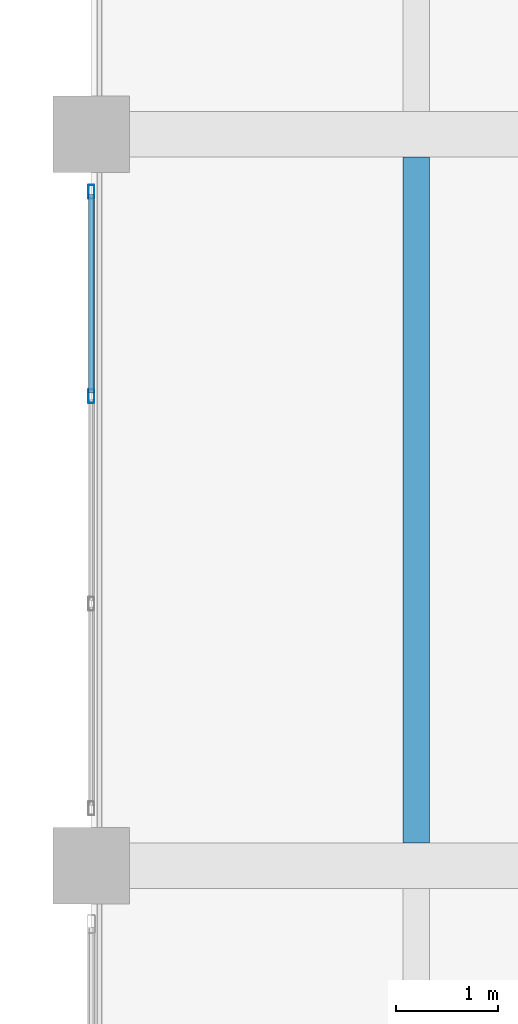
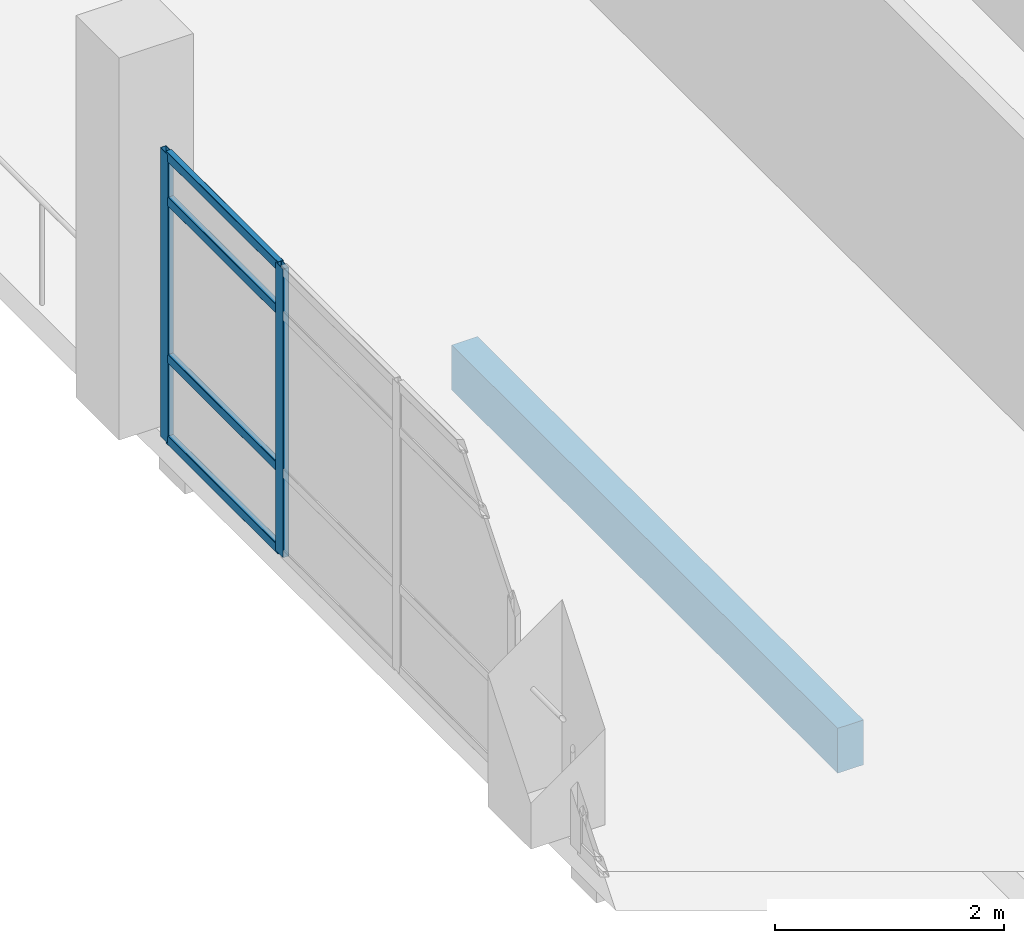
# One storey, part 106 of 180: 6 members, 1 beam, 1 element without a shape of its own.
"""IFC4 building model written with IfcOpenShell, lengths in metres."""

from ifc_helpers import new_model, si_unit, direction, frame, origin, origin_2d, place, context, subcontext, project, spatial, rectangle, hollow_rectangle, extrude, material, layer, layer_set, material_profile, profile_set, type_object, element, aggregate, save


model = new_model("IFC4")

# Units and contexts
model_context = context("Model", 3, precision=1e-05, world=origin(), true_north=direction((0.0, 1.0)))
body_context = subcontext(model_context, "Body", "Model", "MODEL_VIEW")
ifc_project = project(units=[si_unit("LENGTHUNIT", "METRE"), si_unit("AREAUNIT", "SQUARE_METRE"), si_unit("VOLUMEUNIT", "CUBIC_METRE"), si_unit("PLANEANGLEUNIT", "RADIAN"), si_unit("MASSUNIT", "GRAM", prefix="KILO")], contexts=[model_context])

# Site, building, storey
site_placement = place(None, origin())
site = spatial("IfcSite", under=ifc_project, at=site_placement, CompositionType="ELEMENT")
building_placement = place(site_placement, origin())
building = spatial("IfcBuilding", under=site, at=building_placement, Name="Asteropetra Specialist Clinic", CompositionType="ELEMENT")
storey_placement = place(building_placement, frame((0.0, 0.0, 4.419921875)))
storey = spatial("IfcBuildingStorey", under=building, at=storey_placement, Name="L01", CompositionType="ELEMENT", Elevation=4.419921875)

# Curtain wall, members
ifc_material_1 = material(Name="Aluminium and low-E glass", Category="aluminium")
ifc_layer = layer(ifc_material_1, 0.179931640625)
ifc_layer_set = layer_set([ifc_layer], Name="Aluminium and low-E glass")
curtain_wall_type = type_object("IfcCurtainWallType", Name="CW-SYS-07", PredefinedType="USERDEFINED", material=ifc_layer_set)
curtain_wall_placement = place(storey_placement, origin())
curtain_wall = element("IfcCurtainWall", 1, at=curtain_wall_placement, inside=storey, type_object=curtain_wall_type, Name="Curtain Wall CW-032", ObjectType="STICK GLAZED COLONNADE", PredefinedType="USERDEFINED")
ifc_material_2 = material(Name="Aluminium 6063-T6", Category="aluminium")
ifc_material_profile_1 = material_profile(ifc_material_2, hollow_rectangle(XDim=0.06005859375, YDim=0.135009765625, WallThickness=0.00341796875, InnerFilletRadius=0.00341796875, OuterFilletRadius=0.007080078125, at=origin_2d()), Name="MUL 135x60x3.5")
ifc_profile_set_1 = profile_set([ifc_material_profile_1], Name="Aluminium 6063-T6")
member_type_1 = type_object("IfcMemberType", Name="CWM-135x60", PredefinedType="MULLION", material=ifc_profile_set_1)
member_1_placement = place(storey_placement, frame((67.199951171875, 88.62158203125, 0.0), z_axis=(0.0, 0.0, 1.0), x_axis=(-1.0, 0.0, 0.0)))
member_1 = element("IfcMember", 2, at=member_1_placement, type_object=member_type_1, Name="CW-032 mullion 3", PredefinedType="MULLION", context=body_context, shape_type="SweptSolid", body=[
    extrude(hollow_rectangle(XDim=0.06005859375, YDim=0.135009765625, WallThickness=0.00341796875, InnerFilletRadius=0.00341796875, OuterFilletRadius=0.007080078125, at=origin_2d()), origin(), (0.0, 0.0, 1.0), 3.080078125),
])
member_2_placement = place(storey_placement, frame((67.199951171875, 90.635009765625, 0.0), z_axis=(0.0, 0.0, 1.0), x_axis=(-1.0, 0.0, 0.0)))
member_2 = element("IfcMember", 3, at=member_2_placement, type_object=member_type_1, Name="CW-032 mullion 4", PredefinedType="MULLION", context=body_context, shape_type="SweptSolid", body=[
    extrude(hollow_rectangle(XDim=0.06005859375, YDim=0.135009765625, WallThickness=0.00341796875, InnerFilletRadius=0.00341796875, OuterFilletRadius=0.007080078125, at=origin_2d()), origin(), (0.0, 0.0, 1.0), 3.080078125),
])
ifc_material_3 = material(Name="Aluminium 6063-T6", Category="aluminium")
ifc_material_profile_2 = material_profile(ifc_material_3, hollow_rectangle(XDim=0.06005859375, YDim=0.10009765625, WallThickness=0.00341796875, InnerFilletRadius=0.00341796875, OuterFilletRadius=0.007080078125, at=origin_2d()), Name="TRN 100x60x3.5")
ifc_profile_set_2 = profile_set([ifc_material_profile_2], Name="Aluminium 6063-T6")
member_type_2 = type_object("IfcMemberType", Name="CWT-100x60", PredefinedType="USERDEFINED", material=ifc_profile_set_2)
member_3_placement = place(storey_placement, frame((67.199951171875, 88.651611328125, 0.030029296875), z_axis=(0.0, 1.0, 0.0), x_axis=(-1.0, 0.0, 0.0)))
member_3 = element("IfcMember", 4, at=member_3_placement, type_object=member_type_2, Name="CW-032 transom 3.1", ObjectType="TRANSOM", PredefinedType="USERDEFINED", context=body_context, shape_type="SweptSolid", body=[
    extrude(hollow_rectangle(XDim=0.06005859375, YDim=0.10009765625, WallThickness=0.00341796875, InnerFilletRadius=0.00341796875, OuterFilletRadius=0.007080078125, at=origin_2d()), origin(), (0.0, 0.0, 1.0), 1.953369140625),
])
member_4_placement = place(storey_placement, frame((67.199951171875, 88.651611328125, 0.900146484375), z_axis=(0.0, 1.0, 0.0), x_axis=(-1.0, 0.0, 0.0)))
member_4 = element("IfcMember", 5, at=member_4_placement, type_object=member_type_2, Name="CW-032 transom 3.2", ObjectType="TRANSOM", PredefinedType="USERDEFINED", context=body_context, shape_type="SweptSolid", body=[
    extrude(hollow_rectangle(XDim=0.06005859375, YDim=0.10009765625, WallThickness=0.00341796875, InnerFilletRadius=0.00341796875, OuterFilletRadius=0.007080078125, at=origin_2d()), origin(), (0.0, 0.0, 1.0), 1.953369140625),
])
member_5_placement = place(storey_placement, frame((67.199951171875, 88.651611328125, 2.580078125), z_axis=(0.0, 1.0, 0.0), x_axis=(-1.0, 0.0, 0.0)))
member_5 = element("IfcMember", 6, at=member_5_placement, type_object=member_type_2, Name="CW-032 transom 3.3", ObjectType="TRANSOM", PredefinedType="USERDEFINED", context=body_context, shape_type="SweptSolid", body=[
    extrude(hollow_rectangle(XDim=0.06005859375, YDim=0.10009765625, WallThickness=0.00341796875, InnerFilletRadius=0.00341796875, OuterFilletRadius=0.007080078125, at=origin_2d()), origin(), (0.0, 0.0, 1.0), 1.953369140625),
])
member_6_placement = place(storey_placement, frame((67.199951171875, 88.651611328125, 3.050048828125), z_axis=(0.0, 1.0, 0.0), x_axis=(-1.0, 0.0, 0.0)))
member_6 = element("IfcMember", 7, at=member_6_placement, type_object=member_type_2, Name="CW-032 transom 3.4", ObjectType="TRANSOM", PredefinedType="USERDEFINED", context=body_context, shape_type="SweptSolid", body=[
    extrude(hollow_rectangle(XDim=0.06005859375, YDim=0.10009765625, WallThickness=0.00341796875, InnerFilletRadius=0.00341796875, OuterFilletRadius=0.007080078125, at=origin_2d()), origin(), (0.0, 0.0, 1.0), 1.953369140625),
])
aggregate(curtain_wall, [member_1, member_2, member_3, member_4, member_5, member_6])

# Beam
ifc_material_4 = material(Name="Concrete C35/45", Category="concrete")
ifc_material_profile_3 = material_profile(ifc_material_4, rectangle(XDim=0.260009765625, YDim=0.47998046875, at=origin_2d()), Name="RCJ 260x480")
ifc_profile_set_3 = profile_set([ifc_material_profile_3], Name="Concrete C35/45")
beam_type = type_object("IfcBeamType", Name="JST-RC260x480", PredefinedType="JOIST", material=ifc_profile_set_3)
beam_placement = place(storey_placement, frame((70.39990234375, 84.22509765625, -0.52001953125), z_axis=(0.0, 1.0, 0.0), x_axis=(-1.0, 0.0, 0.0)))
element("IfcBeam", 8, at=beam_placement, inside=storey, type_object=beam_type, Name="Joist JJST02-0705", PredefinedType="JOIST", context=body_context, shape_type="SweptSolid", body=[
    extrude(rectangle(XDim=0.260009765625, YDim=0.47998046875, at=origin_2d()), origin(), (0.0, 0.0, 1.0), 6.75),
])

save(model, "model.ifc")
